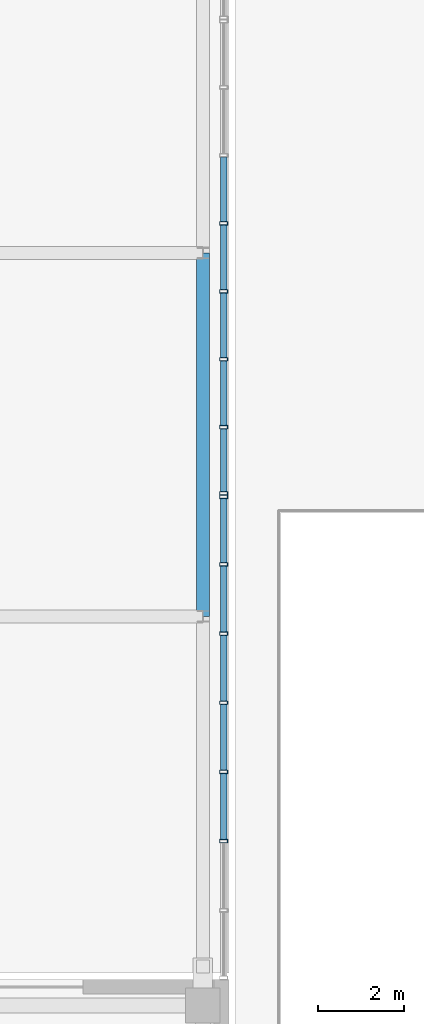
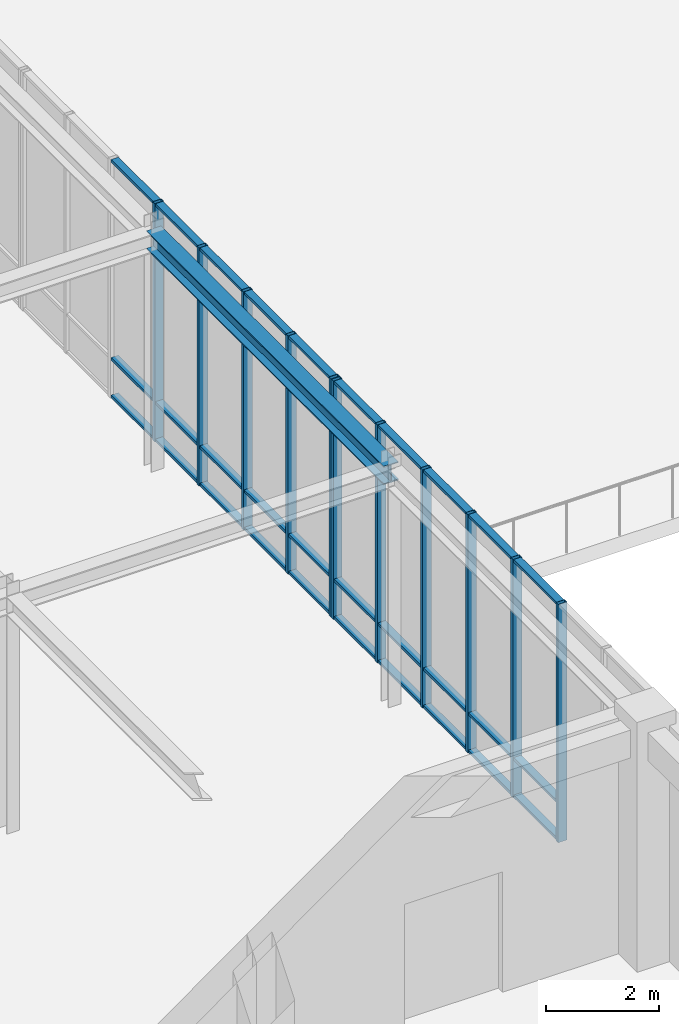
# One storey, part 20 of 122: 41 members, 1 beam, 2 elements without a shape of their own.
"""IFC4 building model written with IfcOpenShell, lengths in metres."""

from ifc_helpers import new_model, si_unit, direction, frame, origin, origin_2d, place, context, subcontext, project, spatial, hollow_rectangle, i_section, extrude, material, layer, layer_set, material_profile, profile_set, type_object, element, aggregate, save


model = new_model("IFC4")

# Units and contexts
model_context = context("Model", 3, precision=1e-05, world=origin(), true_north=direction((0.0, 1.0)))
body_context = subcontext(model_context, "Body", "Model", "MODEL_VIEW")
ifc_project = project(units=[si_unit("LENGTHUNIT", "METRE"), si_unit("AREAUNIT", "SQUARE_METRE"), si_unit("VOLUMEUNIT", "CUBIC_METRE"), si_unit("PLANEANGLEUNIT", "RADIAN"), si_unit("MASSUNIT", "GRAM", prefix="KILO")], contexts=[model_context])

# Site, building, storey
site_placement = place(None, origin())
site = spatial("IfcSite", under=ifc_project, at=site_placement, CompositionType="ELEMENT")
building_placement = place(site_placement, origin())
building = spatial("IfcBuilding", under=site, at=building_placement, Name="Zayran Congress Hotel", CompositionType="ELEMENT")
storey_placement = place(building_placement, origin())
storey = spatial("IfcBuildingStorey", under=building, at=storey_placement, Name="L00", CompositionType="ELEMENT", Elevation=0.0)

# Beam
ifc_material_1 = material(Name="Steel S355", Category="steel")
ifc_material_profile_1 = material_profile(ifc_material_1, i_section(OverallWidth=0.300048828125, OverallDepth=0.39990234375, WebThickness=0.013427734375, FlangeThickness=0.02392578125, at=origin_2d()), Name="HEB 400")
ifc_profile_set_1 = profile_set([ifc_material_profile_1], Name="Steel S355")
beam_type = type_object("IfcBeamType", Name="TP-BM-10", PredefinedType="BEAM", material=ifc_profile_set_1)
beam_placement = place(storey_placement, frame((91.800048828125, 42.39990234375, 4.949951171875), z_axis=(0.0, 1.0, 0.0), x_axis=(-1.0, 0.0, 0.0)))
element("IfcBeam", 1, at=beam_placement, inside=storey, type_object=beam_type, Name="BM-BR2Y-L00-2455", PredefinedType="BEAM", context=body_context, shape_type="SweptSolid", body=[
    extrude(i_section(OverallWidth=0.300048828125, OverallDepth=0.39990234375, WebThickness=0.013427734375, FlangeThickness=0.02392578125, at=origin_2d()), origin(), (0.0, 0.0, 1.0), 8.400146484375),
])

# Curtain wall, members
ifc_material_2 = material(Name="Anodised aluminium and low-E insulated glass", Category="aluminium")
ifc_layer_1 = layer(ifc_material_2, 0.179931640625)
ifc_layer_set_1 = layer_set([ifc_layer_1], Name="Anodised aluminium and low-E insulated glass")
curtain_wall_type_1 = type_object("IfcCurtainWallType", Name="CW-BR2-L00-CW-BR2-11200-5150", PredefinedType="USERDEFINED", material=ifc_layer_set_1)
curtain_wall_1_placement = place(storey_placement, origin())
curtain_wall_1 = element("IfcCurtainWall", 2, at=curtain_wall_1_placement, inside=storey, type_object=curtain_wall_type_1, Name="CW-BR2E-L00-0", ObjectType="CURTAIN WALL", PredefinedType="USERDEFINED")
ifc_material_3 = material(Name="Anodised aluminium framing", Category="aluminium")
ifc_material_profile_2 = material_profile(ifc_material_3, hollow_rectangle(XDim=0.080078125, YDim=0.179931640625, WallThickness=0.0048828125, at=origin_2d()), Name="RHS 180x80x5")
ifc_profile_set_2 = profile_set([ifc_material_profile_2], Name="Anodised aluminium framing")
member_type_1 = type_object("IfcMemberType", Name="TP-CWM-01", PredefinedType="MULLION", material=ifc_profile_set_2)
member_1_placement = place(storey_placement, frame((92.280029296875, 37.199951171875, 0.0), z_axis=(0.0, 0.0, 1.0), x_axis=(0.0, 1.0, 0.0)))
member_1 = element("IfcMember", 3, at=member_1_placement, type_object=member_type_1, Name="CW-BR2E-L00-0-M02", PredefinedType="MULLION", context=body_context, shape_type="SweptSolid", body=[
    extrude(hollow_rectangle(XDim=0.080078125, YDim=0.179931640625, WallThickness=0.0048828125, at=origin_2d()), origin(), (0.0, 0.0, 1.0), 5.14990234375),
])
member_2_placement = place(storey_placement, frame((92.280029296875, 38.800048828125, 0.0), z_axis=(0.0, 0.0, 1.0), x_axis=(0.0, 1.0, 0.0)))
member_2 = element("IfcMember", 4, at=member_2_placement, type_object=member_type_1, Name="CW-BR2E-L00-0-M03", PredefinedType="MULLION", context=body_context, shape_type="SweptSolid", body=[
    extrude(hollow_rectangle(XDim=0.080078125, YDim=0.179931640625, WallThickness=0.0048828125, at=origin_2d()), origin(), (0.0, 0.0, 1.0), 5.14990234375),
])
member_3_placement = place(storey_placement, frame((92.280029296875, 40.39990234375, 0.0), z_axis=(0.0, 0.0, 1.0), x_axis=(0.0, 1.0, 0.0)))
member_3 = element("IfcMember", 5, at=member_3_placement, type_object=member_type_1, Name="CW-BR2E-L00-0-M04", PredefinedType="MULLION", context=body_context, shape_type="SweptSolid", body=[
    extrude(hollow_rectangle(XDim=0.080078125, YDim=0.179931640625, WallThickness=0.0048828125, at=origin_2d()), origin(), (0.0, 0.0, 1.0), 5.14990234375),
])
member_4_placement = place(storey_placement, frame((92.280029296875, 42.0, 0.0), z_axis=(0.0, 0.0, 1.0), x_axis=(0.0, 1.0, 0.0)))
member_4 = element("IfcMember", 6, at=member_4_placement, type_object=member_type_1, Name="CW-BR2E-L00-0-M05", PredefinedType="MULLION", context=body_context, shape_type="SweptSolid", body=[
    extrude(hollow_rectangle(XDim=0.080078125, YDim=0.179931640625, WallThickness=0.0048828125, at=origin_2d()), origin(), (0.0, 0.0, 1.0), 5.14990234375),
])
member_5_placement = place(storey_placement, frame((92.280029296875, 43.60009765625, 0.0), z_axis=(0.0, 0.0, 1.0), x_axis=(0.0, 1.0, 0.0)))
member_5 = element("IfcMember", 7, at=member_5_placement, type_object=member_type_1, Name="CW-BR2E-L00-0-M06", PredefinedType="MULLION", context=body_context, shape_type="SweptSolid", body=[
    extrude(hollow_rectangle(XDim=0.080078125, YDim=0.179931640625, WallThickness=0.0048828125, at=origin_2d()), origin(), (0.0, 0.0, 1.0), 5.14990234375),
])
member_6_placement = place(storey_placement, frame((92.280029296875, 45.159912109375, 0.0), z_axis=(0.0, 0.0, 1.0), x_axis=(0.0, 1.0, 0.0)))
member_6 = element("IfcMember", 8, at=member_6_placement, type_object=member_type_1, Name="CW-BR2E-L00-0-M07", PredefinedType="MULLION", context=body_context, shape_type="SweptSolid", body=[
    extrude(hollow_rectangle(XDim=0.080078125, YDim=0.179931640625, WallThickness=0.0048828125, at=origin_2d()), origin(), (0.0, 0.0, 1.0), 5.14990234375),
])

ifc_layer_2 = layer(ifc_material_2, 0.179931640625)
ifc_layer_set_2 = layer_set([ifc_layer_2], Name="Anodised aluminium and low-E insulated glass")
curtain_wall_type_2 = type_object("IfcCurtainWallType", Name="CW-BR2-L00-CW-BR2-11000-5150", PredefinedType="USERDEFINED", material=ifc_layer_set_2)
curtain_wall_2_placement = place(storey_placement, origin())
curtain_wall_2 = element("IfcCurtainWall", 9, at=curtain_wall_2_placement, inside=storey, type_object=curtain_wall_type_2, Name="CW-BR2E-L00-1", ObjectType="CURTAIN WALL", PredefinedType="USERDEFINED")
member_7_placement = place(storey_placement, frame((92.280029296875, 45.239990234375, 0.0), z_axis=(0.0, 0.0, 1.0), x_axis=(0.0, 1.0, 0.0)))
member_7 = element("IfcMember", 10, at=member_7_placement, type_object=member_type_1, Name="CW-BR2E-L00-1-M00", PredefinedType="MULLION", context=body_context, shape_type="SweptSolid", body=[
    extrude(hollow_rectangle(XDim=0.080078125, YDim=0.179931640625, WallThickness=0.0048828125, at=origin_2d()), origin(), (0.0, 0.0, 1.0), 5.14990234375),
])
member_8_placement = place(storey_placement, frame((92.280029296875, 46.771484375, 0.0), z_axis=(0.0, 0.0, 1.0), x_axis=(0.0, 1.0, 0.0)))
member_8 = element("IfcMember", 11, at=member_8_placement, type_object=member_type_1, Name="CW-BR2E-L00-1-M01", PredefinedType="MULLION", context=body_context, shape_type="SweptSolid", body=[
    extrude(hollow_rectangle(XDim=0.080078125, YDim=0.179931640625, WallThickness=0.0048828125, at=origin_2d()), origin(), (0.0, 0.0, 1.0), 5.14990234375),
])
member_9_placement = place(storey_placement, frame((92.280029296875, 48.343017578125, 0.0), z_axis=(0.0, 0.0, 1.0), x_axis=(0.0, 1.0, 0.0)))
member_9 = element("IfcMember", 12, at=member_9_placement, type_object=member_type_1, Name="CW-BR2E-L00-1-M02", PredefinedType="MULLION", context=body_context, shape_type="SweptSolid", body=[
    extrude(hollow_rectangle(XDim=0.080078125, YDim=0.179931640625, WallThickness=0.0048828125, at=origin_2d()), origin(), (0.0, 0.0, 1.0), 5.14990234375),
])
member_10_placement = place(storey_placement, frame((92.280029296875, 49.914306640625, 0.0), z_axis=(0.0, 0.0, 1.0), x_axis=(0.0, 1.0, 0.0)))
member_10 = element("IfcMember", 13, at=member_10_placement, type_object=member_type_1, Name="CW-BR2E-L00-1-M03", PredefinedType="MULLION", context=body_context, shape_type="SweptSolid", body=[
    extrude(hollow_rectangle(XDim=0.080078125, YDim=0.179931640625, WallThickness=0.0048828125, at=origin_2d()), origin(), (0.0, 0.0, 1.0), 5.14990234375),
])
member_11_placement = place(storey_placement, frame((92.280029296875, 51.485595703125, 0.0), z_axis=(0.0, 0.0, 1.0), x_axis=(0.0, 1.0, 0.0)))
member_11 = element("IfcMember", 14, at=member_11_placement, type_object=member_type_1, Name="CW-BR2E-L00-1-M04", PredefinedType="MULLION", context=body_context, shape_type="SweptSolid", body=[
    extrude(hollow_rectangle(XDim=0.080078125, YDim=0.179931640625, WallThickness=0.0048828125, at=origin_2d()), origin(), (0.0, 0.0, 1.0), 5.14990234375),
])

# Member
ifc_material_profile_3 = material_profile(ifc_material_3, hollow_rectangle(XDim=0.06005859375, YDim=0.14990234375, WallThickness=0.00390625, at=origin_2d()), Name="RHS 150x60x4")
ifc_profile_set_3 = profile_set([ifc_material_profile_3], Name="Anodised aluminium framing")
member_type_2 = type_object("IfcMemberType", Name="TP-CWT-01", PredefinedType="USERDEFINED", material=ifc_profile_set_3)
member_12_placement = place(storey_placement, frame((92.280029296875, 37.239990234375, 0.030029296875), z_axis=(0.0, 1.0, 0.0), x_axis=(0.0, 0.0, 1.0)))
member_12 = element("IfcMember", 15, at=member_12_placement, type_object=member_type_2, Name="CW-BR2E-L00-0-T02-0", ObjectType="TRANSOM", PredefinedType="USERDEFINED", context=body_context, shape_type="SweptSolid", body=[
    extrude(hollow_rectangle(XDim=0.06005859375, YDim=0.14990234375, WallThickness=0.00390625, at=origin_2d()), origin(), (0.0, 0.0, 1.0), 1.52001953125),
])

member_13_placement = place(storey_placement, frame((92.280029296875, 37.239990234375, 0.840087890625), z_axis=(0.0, 1.0, 0.0), x_axis=(0.0, 0.0, 1.0)))
member_13 = element("IfcMember", 16, at=member_13_placement, type_object=member_type_2, Name="CW-BR2E-L00-0-T02-1", ObjectType="TRANSOM", PredefinedType="USERDEFINED", context=body_context, shape_type="SweptSolid", body=[
    extrude(hollow_rectangle(XDim=0.06005859375, YDim=0.14990234375, WallThickness=0.00390625, at=origin_2d()), origin(), (0.0, 0.0, 1.0), 1.52001953125),
])

member_14_placement = place(storey_placement, frame((92.280029296875, 37.239990234375, 5.1201171875), z_axis=(0.0, 1.0, 0.0), x_axis=(0.0, 0.0, 1.0)))
member_14 = element("IfcMember", 17, at=member_14_placement, type_object=member_type_2, Name="CW-BR2E-L00-0-T02-2", ObjectType="TRANSOM", PredefinedType="USERDEFINED", context=body_context, shape_type="SweptSolid", body=[
    extrude(hollow_rectangle(XDim=0.06005859375, YDim=0.14990234375, WallThickness=0.00390625, at=origin_2d()), origin(), (0.0, 0.0, 1.0), 1.52001953125),
])

member_15_placement = place(storey_placement, frame((92.280029296875, 38.840087890625, 0.030029296875), z_axis=(0.0, 1.0, 0.0), x_axis=(0.0, 0.0, 1.0)))
member_15 = element("IfcMember", 18, at=member_15_placement, type_object=member_type_2, Name="CW-BR2E-L00-0-T03-0", ObjectType="TRANSOM", PredefinedType="USERDEFINED", context=body_context, shape_type="SweptSolid", body=[
    extrude(hollow_rectangle(XDim=0.06005859375, YDim=0.14990234375, WallThickness=0.00390625, at=origin_2d()), origin(), (0.0, 0.0, 1.0), 1.52001953125),
])

member_16_placement = place(storey_placement, frame((92.280029296875, 38.840087890625, 0.840087890625), z_axis=(0.0, 1.0, 0.0), x_axis=(0.0, 0.0, 1.0)))
member_16 = element("IfcMember", 19, at=member_16_placement, type_object=member_type_2, Name="CW-BR2E-L00-0-T03-1", ObjectType="TRANSOM", PredefinedType="USERDEFINED", context=body_context, shape_type="SweptSolid", body=[
    extrude(hollow_rectangle(XDim=0.06005859375, YDim=0.14990234375, WallThickness=0.00390625, at=origin_2d()), origin(), (0.0, 0.0, 1.0), 1.52001953125),
])

member_17_placement = place(storey_placement, frame((92.280029296875, 38.840087890625, 5.1201171875), z_axis=(0.0, 1.0, 0.0), x_axis=(0.0, 0.0, 1.0)))
member_17 = element("IfcMember", 20, at=member_17_placement, type_object=member_type_2, Name="CW-BR2E-L00-0-T03-2", ObjectType="TRANSOM", PredefinedType="USERDEFINED", context=body_context, shape_type="SweptSolid", body=[
    extrude(hollow_rectangle(XDim=0.06005859375, YDim=0.14990234375, WallThickness=0.00390625, at=origin_2d()), origin(), (0.0, 0.0, 1.0), 1.52001953125),
])

member_18_placement = place(storey_placement, frame((92.280029296875, 40.43994140625, 0.030029296875), z_axis=(0.0, 1.0, 0.0), x_axis=(0.0, 0.0, 1.0)))
member_18 = element("IfcMember", 21, at=member_18_placement, type_object=member_type_2, Name="CW-BR2E-L00-0-T04-0", ObjectType="TRANSOM", PredefinedType="USERDEFINED", context=body_context, shape_type="SweptSolid", body=[
    extrude(hollow_rectangle(XDim=0.06005859375, YDim=0.14990234375, WallThickness=0.00390625, at=origin_2d()), origin(), (0.0, 0.0, 1.0), 1.52001953125),
])

member_19_placement = place(storey_placement, frame((92.280029296875, 40.43994140625, 0.840087890625), z_axis=(0.0, 1.0, 0.0), x_axis=(0.0, 0.0, 1.0)))
member_19 = element("IfcMember", 22, at=member_19_placement, type_object=member_type_2, Name="CW-BR2E-L00-0-T04-1", ObjectType="TRANSOM", PredefinedType="USERDEFINED", context=body_context, shape_type="SweptSolid", body=[
    extrude(hollow_rectangle(XDim=0.06005859375, YDim=0.14990234375, WallThickness=0.00390625, at=origin_2d()), origin(), (0.0, 0.0, 1.0), 1.52001953125),
])

member_20_placement = place(storey_placement, frame((92.280029296875, 40.43994140625, 5.1201171875), z_axis=(0.0, 1.0, 0.0), x_axis=(0.0, 0.0, 1.0)))
member_20 = element("IfcMember", 23, at=member_20_placement, type_object=member_type_2, Name="CW-BR2E-L00-0-T04-2", ObjectType="TRANSOM", PredefinedType="USERDEFINED", context=body_context, shape_type="SweptSolid", body=[
    extrude(hollow_rectangle(XDim=0.06005859375, YDim=0.14990234375, WallThickness=0.00390625, at=origin_2d()), origin(), (0.0, 0.0, 1.0), 1.52001953125),
])

member_21_placement = place(storey_placement, frame((92.280029296875, 42.0400390625, 0.030029296875), z_axis=(0.0, 1.0, 0.0), x_axis=(0.0, 0.0, 1.0)))
member_21 = element("IfcMember", 24, at=member_21_placement, type_object=member_type_2, Name="CW-BR2E-L00-0-T05-0", ObjectType="TRANSOM", PredefinedType="USERDEFINED", context=body_context, shape_type="SweptSolid", body=[
    extrude(hollow_rectangle(XDim=0.06005859375, YDim=0.14990234375, WallThickness=0.00390625, at=origin_2d()), origin(), (0.0, 0.0, 1.0), 1.52001953125),
])

member_22_placement = place(storey_placement, frame((92.280029296875, 42.0400390625, 0.840087890625), z_axis=(0.0, 1.0, 0.0), x_axis=(0.0, 0.0, 1.0)))
member_22 = element("IfcMember", 25, at=member_22_placement, type_object=member_type_2, Name="CW-BR2E-L00-0-T05-1", ObjectType="TRANSOM", PredefinedType="USERDEFINED", context=body_context, shape_type="SweptSolid", body=[
    extrude(hollow_rectangle(XDim=0.06005859375, YDim=0.14990234375, WallThickness=0.00390625, at=origin_2d()), origin(), (0.0, 0.0, 1.0), 1.52001953125),
])

member_23_placement = place(storey_placement, frame((92.280029296875, 42.0400390625, 5.1201171875), z_axis=(0.0, 1.0, 0.0), x_axis=(0.0, 0.0, 1.0)))
member_23 = element("IfcMember", 26, at=member_23_placement, type_object=member_type_2, Name="CW-BR2E-L00-0-T05-2", ObjectType="TRANSOM", PredefinedType="USERDEFINED", context=body_context, shape_type="SweptSolid", body=[
    extrude(hollow_rectangle(XDim=0.06005859375, YDim=0.14990234375, WallThickness=0.00390625, at=origin_2d()), origin(), (0.0, 0.0, 1.0), 1.52001953125),
])

member_24_placement = place(storey_placement, frame((92.280029296875, 43.639892578125, 0.030029296875), z_axis=(0.0, 1.0, 0.0), x_axis=(0.0, 0.0, 1.0)))
member_24 = element("IfcMember", 27, at=member_24_placement, type_object=member_type_2, Name="CW-BR2E-L00-0-T06-0", ObjectType="TRANSOM", PredefinedType="USERDEFINED", context=body_context, shape_type="SweptSolid", body=[
    extrude(hollow_rectangle(XDim=0.06005859375, YDim=0.14990234375, WallThickness=0.00390625, at=origin_2d()), origin(), (0.0, 0.0, 1.0), 1.480224609375),
])

member_25_placement = place(storey_placement, frame((92.280029296875, 43.639892578125, 0.840087890625), z_axis=(0.0, 1.0, 0.0), x_axis=(0.0, 0.0, 1.0)))
member_25 = element("IfcMember", 28, at=member_25_placement, type_object=member_type_2, Name="CW-BR2E-L00-0-T06-1", ObjectType="TRANSOM", PredefinedType="USERDEFINED", context=body_context, shape_type="SweptSolid", body=[
    extrude(hollow_rectangle(XDim=0.06005859375, YDim=0.14990234375, WallThickness=0.00390625, at=origin_2d()), origin(), (0.0, 0.0, 1.0), 1.480224609375),
])

member_26_placement = place(storey_placement, frame((92.280029296875, 43.639892578125, 5.1201171875), z_axis=(0.0, 1.0, 0.0), x_axis=(0.0, 0.0, 1.0)))
member_26 = element("IfcMember", 29, at=member_26_placement, type_object=member_type_2, Name="CW-BR2E-L00-0-T06-2", ObjectType="TRANSOM", PredefinedType="USERDEFINED", context=body_context, shape_type="SweptSolid", body=[
    extrude(hollow_rectangle(XDim=0.06005859375, YDim=0.14990234375, WallThickness=0.00390625, at=origin_2d()), origin(), (0.0, 0.0, 1.0), 1.480224609375),
])

aggregate(curtain_wall_1, [member_1, member_2, member_3, member_4, member_5, member_6, member_12, member_13, member_14, member_15, member_16, member_17, member_18, member_19, member_20, member_21, member_22, member_23, member_24, member_25, member_26])

member_27_placement = place(storey_placement, frame((92.280029296875, 45.280029296875, 0.030029296875), z_axis=(0.0, 1.0, 0.0), x_axis=(0.0, 0.0, 1.0)))
member_27 = element("IfcMember", 30, at=member_27_placement, type_object=member_type_2, Name="CW-BR2E-L00-1-T00-0", ObjectType="TRANSOM", PredefinedType="USERDEFINED", context=body_context, shape_type="SweptSolid", body=[
    extrude(hollow_rectangle(XDim=0.06005859375, YDim=0.14990234375, WallThickness=0.00390625, at=origin_2d()), origin(), (0.0, 0.0, 1.0), 1.451416015625),
])

member_28_placement = place(storey_placement, frame((92.280029296875, 45.280029296875, 0.840087890625), z_axis=(0.0, 1.0, 0.0), x_axis=(0.0, 0.0, 1.0)))
member_28 = element("IfcMember", 31, at=member_28_placement, type_object=member_type_2, Name="CW-BR2E-L00-1-T00-1", ObjectType="TRANSOM", PredefinedType="USERDEFINED", context=body_context, shape_type="SweptSolid", body=[
    extrude(hollow_rectangle(XDim=0.06005859375, YDim=0.14990234375, WallThickness=0.00390625, at=origin_2d()), origin(), (0.0, 0.0, 1.0), 1.451416015625),
])

member_29_placement = place(storey_placement, frame((92.280029296875, 45.280029296875, 5.1201171875), z_axis=(0.0, 1.0, 0.0), x_axis=(0.0, 0.0, 1.0)))
member_29 = element("IfcMember", 32, at=member_29_placement, type_object=member_type_2, Name="CW-BR2E-L00-1-T00-2", ObjectType="TRANSOM", PredefinedType="USERDEFINED", context=body_context, shape_type="SweptSolid", body=[
    extrude(hollow_rectangle(XDim=0.06005859375, YDim=0.14990234375, WallThickness=0.00390625, at=origin_2d()), origin(), (0.0, 0.0, 1.0), 1.451416015625),
])

member_30_placement = place(storey_placement, frame((92.280029296875, 46.811279296875, 0.030029296875), z_axis=(0.0, 1.0, 0.0), x_axis=(0.0, 0.0, 1.0)))
member_30 = element("IfcMember", 33, at=member_30_placement, type_object=member_type_2, Name="CW-BR2E-L00-1-T01-0", ObjectType="TRANSOM", PredefinedType="USERDEFINED", context=body_context, shape_type="SweptSolid", body=[
    extrude(hollow_rectangle(XDim=0.06005859375, YDim=0.14990234375, WallThickness=0.00390625, at=origin_2d()), origin(), (0.0, 0.0, 1.0), 1.49169921875),
])

member_31_placement = place(storey_placement, frame((92.280029296875, 46.811279296875, 0.840087890625), z_axis=(0.0, 1.0, 0.0), x_axis=(0.0, 0.0, 1.0)))
member_31 = element("IfcMember", 34, at=member_31_placement, type_object=member_type_2, Name="CW-BR2E-L00-1-T01-1", ObjectType="TRANSOM", PredefinedType="USERDEFINED", context=body_context, shape_type="SweptSolid", body=[
    extrude(hollow_rectangle(XDim=0.06005859375, YDim=0.14990234375, WallThickness=0.00390625, at=origin_2d()), origin(), (0.0, 0.0, 1.0), 1.49169921875),
])

member_32_placement = place(storey_placement, frame((92.280029296875, 46.811279296875, 5.1201171875), z_axis=(0.0, 1.0, 0.0), x_axis=(0.0, 0.0, 1.0)))
member_32 = element("IfcMember", 35, at=member_32_placement, type_object=member_type_2, Name="CW-BR2E-L00-1-T01-2", ObjectType="TRANSOM", PredefinedType="USERDEFINED", context=body_context, shape_type="SweptSolid", body=[
    extrude(hollow_rectangle(XDim=0.06005859375, YDim=0.14990234375, WallThickness=0.00390625, at=origin_2d()), origin(), (0.0, 0.0, 1.0), 1.49169921875),
])

member_33_placement = place(storey_placement, frame((92.280029296875, 48.3828125, 0.030029296875), z_axis=(0.0, 1.0, 0.0), x_axis=(0.0, 0.0, 1.0)))
member_33 = element("IfcMember", 36, at=member_33_placement, type_object=member_type_2, Name="CW-BR2E-L00-1-T02-0", ObjectType="TRANSOM", PredefinedType="USERDEFINED", context=body_context, shape_type="SweptSolid", body=[
    extrude(hollow_rectangle(XDim=0.06005859375, YDim=0.14990234375, WallThickness=0.00390625, at=origin_2d()), origin(), (0.0, 0.0, 1.0), 1.491455078125),
])

member_34_placement = place(storey_placement, frame((92.280029296875, 48.3828125, 0.840087890625), z_axis=(0.0, 1.0, 0.0), x_axis=(0.0, 0.0, 1.0)))
member_34 = element("IfcMember", 37, at=member_34_placement, type_object=member_type_2, Name="CW-BR2E-L00-1-T02-1", ObjectType="TRANSOM", PredefinedType="USERDEFINED", context=body_context, shape_type="SweptSolid", body=[
    extrude(hollow_rectangle(XDim=0.06005859375, YDim=0.14990234375, WallThickness=0.00390625, at=origin_2d()), origin(), (0.0, 0.0, 1.0), 1.491455078125),
])

member_35_placement = place(storey_placement, frame((92.280029296875, 48.3828125, 5.1201171875), z_axis=(0.0, 1.0, 0.0), x_axis=(0.0, 0.0, 1.0)))
member_35 = element("IfcMember", 38, at=member_35_placement, type_object=member_type_2, Name="CW-BR2E-L00-1-T02-2", ObjectType="TRANSOM", PredefinedType="USERDEFINED", context=body_context, shape_type="SweptSolid", body=[
    extrude(hollow_rectangle(XDim=0.06005859375, YDim=0.14990234375, WallThickness=0.00390625, at=origin_2d()), origin(), (0.0, 0.0, 1.0), 1.491455078125),
])

member_36_placement = place(storey_placement, frame((92.280029296875, 49.954345703125, 0.030029296875), z_axis=(0.0, 1.0, 0.0), x_axis=(0.0, 0.0, 1.0)))
member_36 = element("IfcMember", 39, at=member_36_placement, type_object=member_type_2, Name="CW-BR2E-L00-1-T03-0", ObjectType="TRANSOM", PredefinedType="USERDEFINED", context=body_context, shape_type="SweptSolid", body=[
    extrude(hollow_rectangle(XDim=0.06005859375, YDim=0.14990234375, WallThickness=0.00390625, at=origin_2d()), origin(), (0.0, 0.0, 1.0), 1.491455078125),
])

member_37_placement = place(storey_placement, frame((92.280029296875, 49.954345703125, 0.840087890625), z_axis=(0.0, 1.0, 0.0), x_axis=(0.0, 0.0, 1.0)))
member_37 = element("IfcMember", 40, at=member_37_placement, type_object=member_type_2, Name="CW-BR2E-L00-1-T03-1", ObjectType="TRANSOM", PredefinedType="USERDEFINED", context=body_context, shape_type="SweptSolid", body=[
    extrude(hollow_rectangle(XDim=0.06005859375, YDim=0.14990234375, WallThickness=0.00390625, at=origin_2d()), origin(), (0.0, 0.0, 1.0), 1.491455078125),
])

member_38_placement = place(storey_placement, frame((92.280029296875, 49.954345703125, 5.1201171875), z_axis=(0.0, 1.0, 0.0), x_axis=(0.0, 0.0, 1.0)))
member_38 = element("IfcMember", 41, at=member_38_placement, type_object=member_type_2, Name="CW-BR2E-L00-1-T03-2", ObjectType="TRANSOM", PredefinedType="USERDEFINED", context=body_context, shape_type="SweptSolid", body=[
    extrude(hollow_rectangle(XDim=0.06005859375, YDim=0.14990234375, WallThickness=0.00390625, at=origin_2d()), origin(), (0.0, 0.0, 1.0), 1.491455078125),
])

member_39_placement = place(storey_placement, frame((92.280029296875, 51.525634765625, 0.030029296875), z_axis=(0.0, 1.0, 0.0), x_axis=(0.0, 0.0, 1.0)))
member_39 = element("IfcMember", 42, at=member_39_placement, type_object=member_type_2, Name="CW-BR2E-L00-1-T04-0", ObjectType="TRANSOM", PredefinedType="USERDEFINED", context=body_context, shape_type="SweptSolid", body=[
    extrude(hollow_rectangle(XDim=0.06005859375, YDim=0.14990234375, WallThickness=0.00390625, at=origin_2d()), origin(), (0.0, 0.0, 1.0), 1.491455078125),
])

member_40_placement = place(storey_placement, frame((92.280029296875, 51.525634765625, 0.840087890625), z_axis=(0.0, 1.0, 0.0), x_axis=(0.0, 0.0, 1.0)))
member_40 = element("IfcMember", 43, at=member_40_placement, type_object=member_type_2, Name="CW-BR2E-L00-1-T04-1", ObjectType="TRANSOM", PredefinedType="USERDEFINED", context=body_context, shape_type="SweptSolid", body=[
    extrude(hollow_rectangle(XDim=0.06005859375, YDim=0.14990234375, WallThickness=0.00390625, at=origin_2d()), origin(), (0.0, 0.0, 1.0), 1.491455078125),
])

member_41_placement = place(storey_placement, frame((92.280029296875, 51.525634765625, 5.1201171875), z_axis=(0.0, 1.0, 0.0), x_axis=(0.0, 0.0, 1.0)))
member_41 = element("IfcMember", 44, at=member_41_placement, type_object=member_type_2, Name="CW-BR2E-L00-1-T04-2", ObjectType="TRANSOM", PredefinedType="USERDEFINED", context=body_context, shape_type="SweptSolid", body=[
    extrude(hollow_rectangle(XDim=0.06005859375, YDim=0.14990234375, WallThickness=0.00390625, at=origin_2d()), origin(), (0.0, 0.0, 1.0), 1.491455078125),
])

aggregate(curtain_wall_2, [member_7, member_8, member_9, member_10, member_11, member_27, member_28, member_29, member_30, member_31, member_32, member_33, member_34, member_35, member_36, member_37, member_38, member_39, member_40, member_41])

save(model, "model.ifc")
